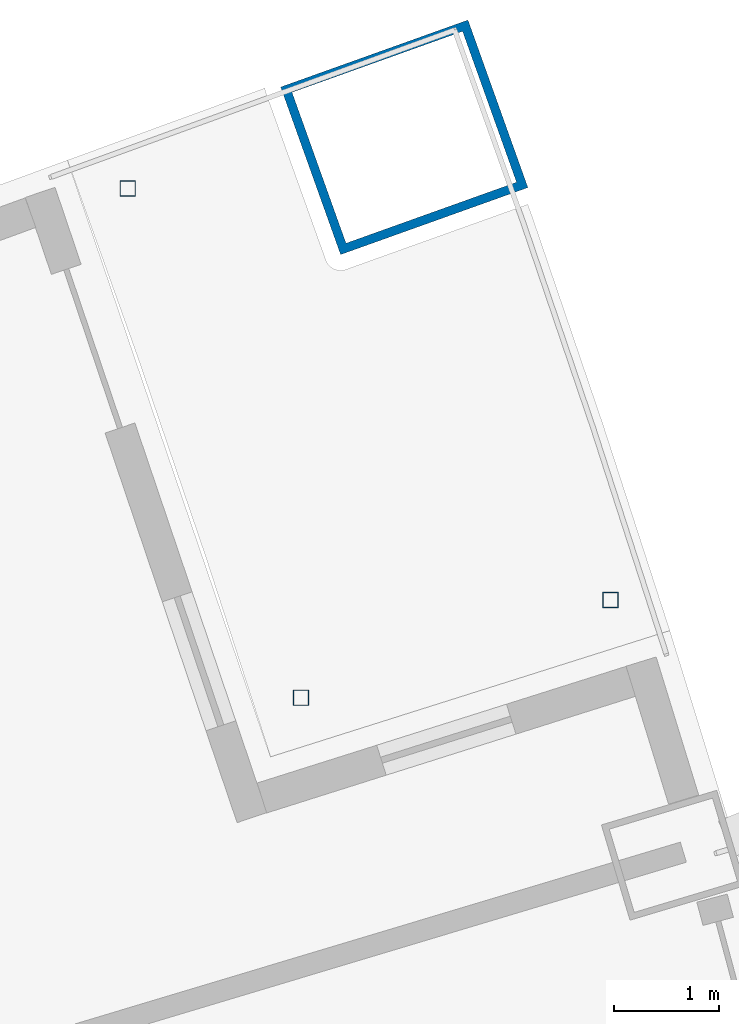
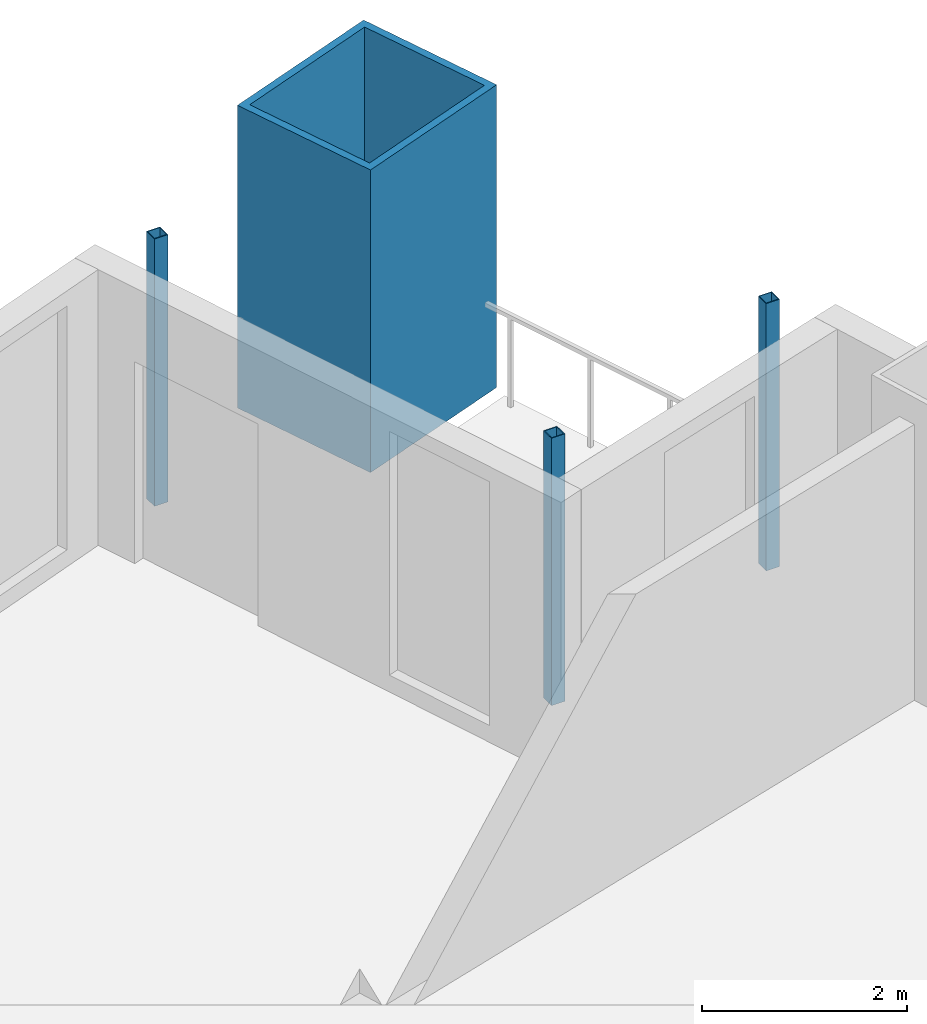
# One storey, part 11 of 25: 4 columns.
"""IFC4 building model written with IfcOpenShell, lengths in metres."""

from ifc_helpers import new_model, si_unit, direction, frame, origin, origin_2d, place, context, subcontext, project, spatial, hollow_rectangle, extrude, material, material_profile, profile_set, type_object, element, save


model = new_model("IFC4")

# Units and contexts
model_context = context("Model", 3, precision=1e-05, world=origin(), true_north=direction((0.0, 1.0)))
body_context = subcontext(model_context, "Body", "Model", "MODEL_VIEW")
ifc_project = project(units=[si_unit("LENGTHUNIT", "METRE"), si_unit("AREAUNIT", "SQUARE_METRE"), si_unit("VOLUMEUNIT", "CUBIC_METRE"), si_unit("PLANEANGLEUNIT", "RADIAN"), si_unit("MASSUNIT", "GRAM", prefix="KILO")], contexts=[model_context])

# Site, building, storey
site_placement = place(None, origin())
site = spatial("IfcSite", under=ifc_project, at=site_placement, CompositionType="ELEMENT")
building_placement = place(site_placement, origin())
building = spatial("IfcBuilding", under=site, at=building_placement, Name="Alderwake Tower", CompositionType="ELEMENT")
storey_placement = place(building_placement, frame((0.0, 0.0, 107.60009765625)))
storey = spatial("IfcBuildingStorey", under=building, at=storey_placement, Name="L26", CompositionType="ELEMENT", Elevation=107.60009765625)

# Columns
ifc_material_1 = material(Name="Steel ASTM A500 Grade C", Category="steel")
ifc_material_profile_1 = material_profile(ifc_material_1, hollow_rectangle(XDim=0.15234375, YDim=0.15234375, WallThickness=0.0087890625, at=origin_2d()), Name="HSS6X6X3/8")
ifc_profile_set_1 = profile_set([ifc_material_profile_1], Name="Steel ASTM A500 Grade C")
column_type_1 = type_object("IfcColumnType", Name="Light post HSS6X6X3/8", PredefinedType="COLUMN", material=ifc_profile_set_1)
for number, where, z_axis, x_axis, name in (
    (1, (54.446044921875, 103.9833984375, 0.0), (0.0, 0.0, 1.0), (1.0, 0.0, 0.0), "Terrace post FN1"),
    (2, (49.833984375, 107.9140625, 0.0), (0.0, 0.0, 1.0), (1.0, 0.0, 0.0), "Terrace post FN2"),
    (3, (51.490234375, 103.048828125, 0.0), (0.0, 0.0, 1.0), (1.0, 0.0, 0.0), "Terrace post FN3"),
):
    element("IfcColumn", number, at=place(storey_placement, frame(where, z_axis=z_axis, x_axis=x_axis)), inside=storey, type_object=column_type_1, Name=name, PredefinedType="COLUMN", context=body_context, shape_type="SweptSolid", body=[
        extrude(hollow_rectangle(XDim=0.15234375, YDim=0.15234375, WallThickness=0.0087890625, at=origin_2d()), origin(), (0.0, 0.0, 1.0), 3.179931640625),
    ])
ifc_material_2 = material(Name="Steel ASTM A572 Grade 50 concrete filled C70/85", Category="concrete")
ifc_material_profile_2 = material_profile(ifc_material_2, hollow_rectangle(XDim=1.699951171875, YDim=1.89990234375, WallThickness=0.0849609375, at=origin_2d()), Name="BOX 1900X1700X85")
ifc_profile_set_2 = profile_set([ifc_material_profile_2], Name="Steel ASTM A572 Grade 50 concrete filled C70/85")
column_type_2 = type_object("IfcColumnType", Name="Mega column Z2", PredefinedType="COLUMN", material=ifc_profile_set_2)
column_placement = place(storey_placement, frame((52.47509765625, 108.401123046875, 0.0), z_axis=(0.0, 0.0, 1.0), x_axis=(-0.336894783301, 0.941542301219, 0.0)))
element("IfcColumn", 4, at=column_placement, inside=storey, type_object=column_type_2, Name="Column R13-C5", PredefinedType="COLUMN", context=body_context, shape_type="SweptSolid", body=[
    extrude(hollow_rectangle(XDim=1.699951171875, YDim=1.89990234375, WallThickness=0.0849609375, at=origin_2d()), origin(), (0.0, 0.0, 1.0), 3.599853515625),
])

save(model, "model.ifc")
